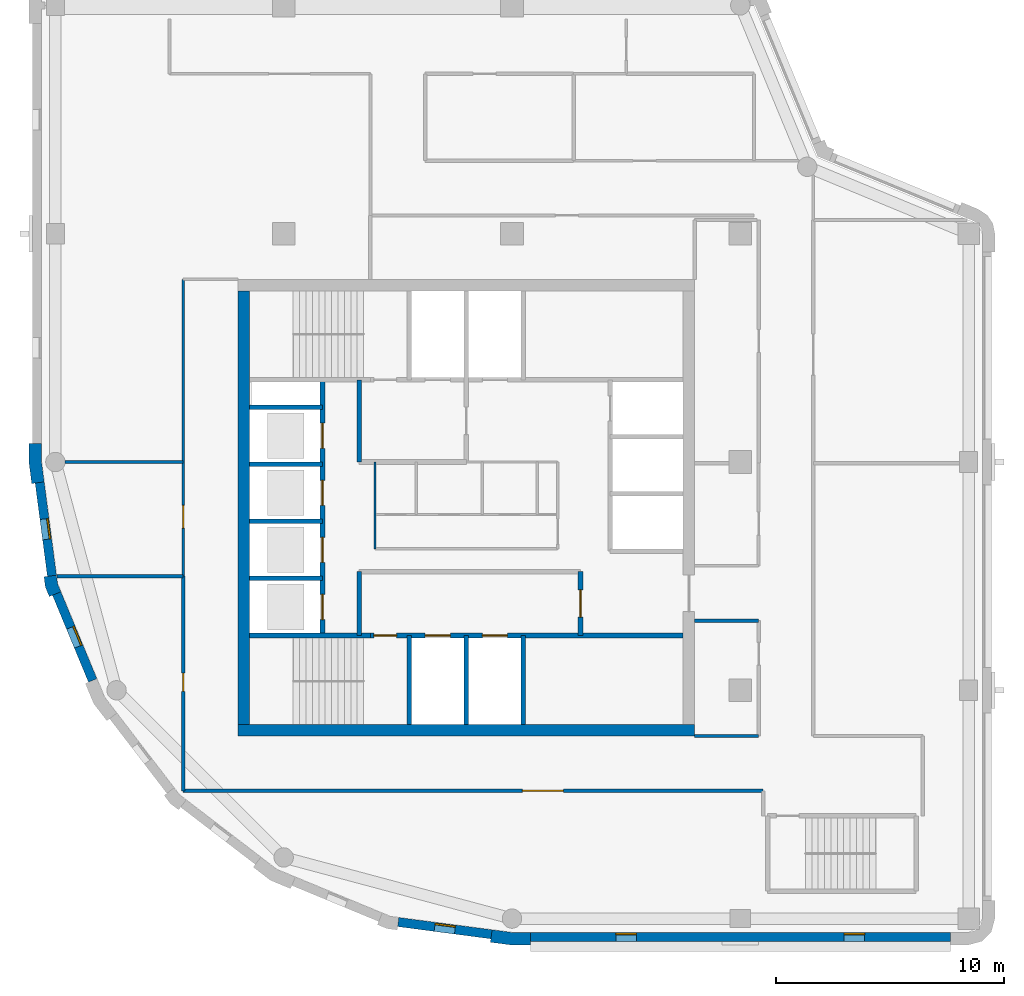
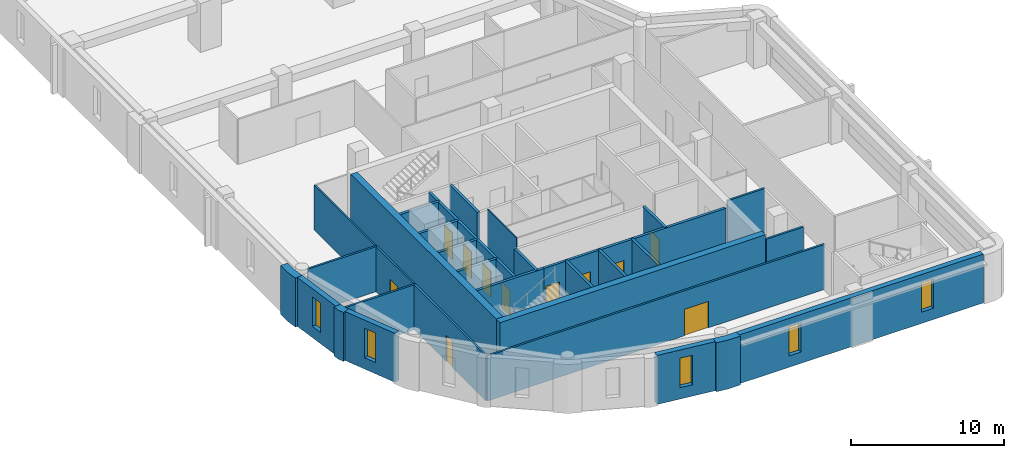
# One storey, part 2 of 8: 30 walls, 11 doors, 5 windows, 16 openings.
"""IFC4 building model written with IfcOpenShell, lengths in metres."""

from ifc_helpers import new_model, si_unit, direction, frame, frame_2d, origin, place, context, subcontext, project, spatial, polyline, rectangle, outline, extrude, material, layer, layer_set, type_object, element, fill, save


model = new_model("IFC4")

# Units and contexts
model_context = context("Model", 3, precision=1e-05, world=origin(), true_north=direction((0.0, 1.0)))
body_context = subcontext(model_context, "Body", "Model", "MODEL_VIEW")
ifc_project = project(units=[si_unit("LENGTHUNIT", "METRE"), si_unit("AREAUNIT", "SQUARE_METRE"), si_unit("VOLUMEUNIT", "CUBIC_METRE"), si_unit("PLANEANGLEUNIT", "RADIAN"), si_unit("MASSUNIT", "GRAM", prefix="KILO")], contexts=[model_context])

# Site, building, storey
site_placement = place(None, origin())
site = spatial("IfcSite", under=ifc_project, at=site_placement, CompositionType="ELEMENT")
building_placement = place(site_placement, origin())
building = spatial("IfcBuilding", under=site, at=building_placement, Name="Qaws Garden Tower", CompositionType="ELEMENT")
storey_placement = place(building_placement, frame((0.0, 0.0, 313.800048828125)))
storey = spatial("IfcBuildingStorey", under=building, at=storey_placement, Name="L76", CompositionType="ELEMENT", Elevation=313.800048828125)

# Wall, openings, windows
ifc_material_1 = material(Name="Clay facing brick masonry", Category="masonry")
ifc_layer_1 = layer(ifc_material_1, 0.39990234375)
ifc_layer_set_1 = layer_set([ifc_layer_1], Name="Clay facing brick masonry")
wall_type_1 = type_object("IfcWallType", Name="Brick infill wall 400", PredefinedType="SOLIDWALL", material=ifc_layer_set_1)
wall_1_placement = place(storey_placement, frame((20.800048828125, -0.800048828125, 0.0), z_axis=(0.0, 0.0, 1.0), x_axis=(1.0, 0.0, 0.0)))
wall_1 = element("IfcWall", 1, at=wall_1_placement, inside=storey, type_object=wall_type_1, Name="E-L76-infill-00", PredefinedType="SOLIDWALL", context=body_context, shape_type="SweptSolid", body=[
    extrude(rectangle(XDim=18.39990234375, YDim=0.39990234375, at=frame_2d((9.199951171875, 0.0))), origin(), (0.0, 0.0, 1.0), 3.89990234375),
])
opening_1_placement = place(wall_1_placement, frame((3.75, 0.0, 0.89990234375)))
opening_1 = element("IfcOpeningElement", 2, at=opening_1_placement, cuts=wall_1, Name="Opening W09", PredefinedType="OPENING", context=body_context, shape_type="SweptSolid", body=[
    extrude(rectangle(XDim=0.89990234375, YDim=2.35009765625, at=frame_2d((0.449951171875, 1.175048828125))), frame((0.0, 0.2099609375, 0.0), z_axis=(0.0, -1.0, 0.0), x_axis=(1.0, 0.0, 0.0)), (0.0, 0.0, 1.0), 0.419921875),
])
opening_2_placement = place(wall_1_placement, frame((13.75, 0.0, 0.89990234375)))
opening_2 = element("IfcOpeningElement", 3, at=opening_2_placement, cuts=wall_1, Name="Opening W09", PredefinedType="OPENING", context=body_context, shape_type="SweptSolid", body=[
    extrude(rectangle(XDim=0.89990234375, YDim=2.35009765625, at=frame_2d((0.449951171875, 1.175048828125))), frame((0.0, 0.2099609375, 0.0), z_axis=(0.0, -1.0, 0.0), x_axis=(1.0, 0.0, 0.0)), (0.0, 0.0, 1.0), 0.419921875),
])
ifc_material_2 = material(Name="Aluminium framed window, clear glazing", Category="aluminium")
window_type = type_object("IfcWindowType", Name="Slit window 900 x 2350", PartitioningType="SINGLE_PANEL", PredefinedType="WINDOW", material=ifc_material_2)
window_1_placement = place(opening_1_placement, origin())
window_1 = element("IfcWindow", 4, at=window_1_placement, inside=storey, type_object=window_type, Name="E-L76-window-00-0", OverallHeight=2.35009765625, OverallWidth=0.89990234375, PartitioningType="SINGLE_PANEL", PredefinedType="WINDOW", context=body_context, shape_type="SweptSolid", body=[
    extrude(rectangle(XDim=0.89990234375, YDim=2.35009765625, at=frame_2d((0.449951171875, 1.175048828125))), frame((0.0, 0.159912109375, 0.0), z_axis=(0.0, -1.0, 0.0), x_axis=(1.0, 0.0, 0.0)), (0.0, 0.0, 1.0), 0.06005859375),
])
fill(opening_1, window_1)
window_2_placement = place(opening_2_placement, origin())
window_2 = element("IfcWindow", 5, at=window_2_placement, inside=storey, type_object=window_type, Name="E-L76-window-01-0", OverallHeight=2.35009765625, OverallWidth=0.89990234375, PartitioningType="SINGLE_PANEL", PredefinedType="WINDOW", context=body_context, shape_type="SweptSolid", body=[
    extrude(rectangle(XDim=0.89990234375, YDim=2.35009765625, at=frame_2d((0.449951171875, 1.175048828125))), frame((0.0, 0.159912109375, 0.0), z_axis=(0.0, -1.0, 0.0), x_axis=(1.0, 0.0, 0.0)), (0.0, 0.0, 1.0), 0.06005859375),
])
fill(opening_2, window_2)

# Wall, opening, window
wall_2_placement = place(storey_placement, frame((-0.688720703125, 19.102294921875, 0.0), z_axis=(0.0, 0.0, 1.0), x_axis=(0.130514280502, -0.991446429508, 0.0)))
wall_2 = element("IfcWall", 6, at=wall_2_placement, inside=storey, type_object=wall_type_1, Name="E-L76-infill-21", PredefinedType="SOLIDWALL", context=body_context, shape_type="SweptSolid", body=[
    extrude(rectangle(XDim=4.120849609375, YDim=0.39990234375, at=frame_2d((2.060546875, 0.0))), origin(), (0.0, 0.0, 1.0), 3.89990234375),
])
opening_3_placement = place(wall_2_placement, frame((1.610595703125, 0.0, 0.89990234375)))
opening_3 = element("IfcOpeningElement", 7, at=opening_3_placement, cuts=wall_2, Name="Opening W09", PredefinedType="OPENING", context=body_context, shape_type="SweptSolid", body=[
    extrude(rectangle(XDim=0.89990234375, YDim=2.35009765625, at=frame_2d((0.449951171875, 1.175048828125))), frame((0.0, 0.2099609375, 0.0), z_axis=(0.0, -1.0, 0.0), x_axis=(1.0, 0.0, 0.0)), (0.0, 0.0, 1.0), 0.419921875),
])
window_3_placement = place(opening_3_placement, origin())
window_3 = element("IfcWindow", 8, at=window_3_placement, inside=storey, type_object=window_type, Name="E-L76-window-21-0", OverallHeight=2.35009765625, OverallWidth=0.89990234375, PartitioningType="SINGLE_PANEL", PredefinedType="WINDOW", context=body_context, shape_type="SweptSolid", body=[
    extrude(rectangle(XDim=0.89990234375, YDim=2.35009765625, at=frame_2d((0.449951171875, 1.175048828125))), frame((0.0, 0.159912109375, 0.0), z_axis=(0.0, -1.0, 0.0), x_axis=(1.0, 0.0, 0.0)), (0.0, 0.0, 1.0), 0.06005859375),
])
fill(opening_3, window_3)

wall_3_placement = place(storey_placement, frame((0.05712890625, 14.240234375, 0.0), z_axis=(0.0, 0.0, 1.0), x_axis=(0.382721546029, -0.923863744394, 0.0)))
wall_3 = element("IfcWall", 9, at=wall_3_placement, inside=storey, type_object=wall_type_1, Name="E-L76-infill-22", PredefinedType="SOLIDWALL", context=body_context, shape_type="SweptSolid", body=[
    extrude(rectangle(XDim=4.120849609375, YDim=0.39990234375, at=frame_2d((2.060546875, 0.0))), origin(), (0.0, 0.0, 1.0), 3.89990234375),
])
opening_4_placement = place(wall_3_placement, frame((1.610595703125, 0.0, 0.89990234375)))
opening_4 = element("IfcOpeningElement", 10, at=opening_4_placement, cuts=wall_3, Name="Opening W09", PredefinedType="OPENING", context=body_context, shape_type="SweptSolid", body=[
    extrude(rectangle(XDim=0.89990234375, YDim=2.35009765625, at=frame_2d((0.449951171875, 1.175048828125))), frame((0.0, 0.2099609375, 0.0), z_axis=(0.0, -1.0, 0.0), x_axis=(1.0, 0.0, 0.0)), (0.0, 0.0, 1.0), 0.419921875),
])
window_4_placement = place(opening_4_placement, origin())
window_4 = element("IfcWindow", 11, at=window_4_placement, inside=storey, type_object=window_type, Name="E-L76-window-22-0", OverallHeight=2.35009765625, OverallWidth=0.89990234375, PartitioningType="SINGLE_PANEL", PredefinedType="WINDOW", context=body_context, shape_type="SweptSolid", body=[
    extrude(rectangle(XDim=0.89990234375, YDim=2.35009765625, at=frame_2d((0.449951171875, 1.175048828125))), frame((0.0, 0.159912109375, 0.0), z_axis=(0.0, -1.0, 0.0), x_axis=(1.0, 0.0, 0.0)), (0.0, 0.0, 1.0), 0.06005859375),
])
fill(opening_4, window_4)

wall_4_placement = place(storey_placement, frame((15.0166015625, -0.15087890625, 0.0), z_axis=(0.0, 0.0, 1.0), x_axis=(0.991446429508, -0.130514280502, 0.0)))
wall_4 = element("IfcWall", 12, at=wall_4_placement, inside=storey, type_object=wall_type_1, Name="E-L76-infill-26", PredefinedType="SOLIDWALL", context=body_context, shape_type="SweptSolid", body=[
    extrude(rectangle(XDim=4.120849609375, YDim=0.39990234375, at=frame_2d((2.060546875, 0.0))), origin(), (0.0, 0.0, 1.0), 3.89990234375),
])
opening_5_placement = place(wall_4_placement, frame((1.610595703125, 0.0, 0.89990234375)))
opening_5 = element("IfcOpeningElement", 13, at=opening_5_placement, cuts=wall_4, Name="Opening W09", PredefinedType="OPENING", context=body_context, shape_type="SweptSolid", body=[
    extrude(rectangle(XDim=0.89990234375, YDim=2.35009765625, at=frame_2d((0.449951171875, 1.175048828125))), frame((0.0, 0.2099609375, 0.0), z_axis=(0.0, -1.0, 0.0), x_axis=(1.0, 0.0, 0.0)), (0.0, 0.0, 1.0), 0.419921875),
])
window_5_placement = place(opening_5_placement, origin())
window_5 = element("IfcWindow", 14, at=window_5_placement, inside=storey, type_object=window_type, Name="E-L76-window-26-0", OverallHeight=2.35009765625, OverallWidth=0.89990234375, PartitioningType="SINGLE_PANEL", PredefinedType="WINDOW", context=body_context, shape_type="SweptSolid", body=[
    extrude(rectangle(XDim=0.89990234375, YDim=2.35009765625, at=frame_2d((0.449951171875, 1.175048828125))), frame((0.0, 0.159912109375, 0.0), z_axis=(0.0, -1.0, 0.0), x_axis=(1.0, 0.0, 0.0)), (0.0, 0.0, 1.0), 0.06005859375),
])
fill(opening_5, window_5)

# Walls
ifc_material_3 = material(Name="Clay facing brick masonry", Category="masonry")
ifc_layer_2 = layer(ifc_material_3, 0.550048828125)
ifc_layer_set_2 = layer_set([ifc_layer_2], Name="Clay facing brick masonry")
wall_type_2 = type_object("IfcWallType", Name="Brick kink pier 550 x 600", PredefinedType="SOLIDWALL", material=ifc_layer_set_2)
placement = place(storey_placement, origin())
element("IfcWall", 15, at=placement, inside=storey, type_object=wall_type_2, Name="E-L76-pier-22", PredefinedType="SOLIDWALL", context=body_context, shape_type="SweptSolid", body=[
    extrude(outline(polyline([(-0.34912109375, 14.990478515625), (-0.497802734375, 14.970947265625), (-0.43896484375, 14.5234375), (-0.26611328125, 14.1064453125), (-0.127685546875, 14.163818359375), (0.241943359375, 14.31689453125), (0.096923828125, 14.6669921875), (0.04736328125, 15.042724609375), (-0.34912109375, 14.990478515625)])), origin(), (0.0, 0.0, 1.0), 3.89990234375),
])
ifc_material_4 = material(Name="Clay facing brick masonry", Category="masonry")
ifc_layer_3 = layer(ifc_material_4, 0.550048828125)
ifc_layer_set_3 = layer_set([ifc_layer_3], Name="Clay facing brick masonry")
wall_type_3 = type_object("IfcWallType", Name="Brick pier 550 x 1600", PredefinedType="SOLIDWALL", material=ifc_layer_set_3)
element("IfcWall", 16, at=placement, inside=storey, type_object=wall_type_3, Name="E-L76-pier-00", PredefinedType="SOLIDWALL", context=body_context, shape_type="SweptSolid", body=[
    extrude(outline(polyline([(19.076416015625, -0.886962890625), (19.056640625, -1.03564453125), (19.924560546875, -1.14990234375), (20.800048828125, -1.14990234375), (20.800048828125, -1.0), (20.800048828125, -0.60009765625), (19.960693359375, -0.60009765625), (19.12841796875, -0.490478515625), (19.076416015625, -0.886962890625)])), origin(), (0.0, 0.0, 1.0), 3.89990234375),
])
element("IfcWall", 17, at=placement, inside=storey, type_object=wall_type_3, Name="E-L76-pier-21", PredefinedType="SOLIDWALL", context=body_context, shape_type="SweptSolid", body=[
    extrude(outline(polyline([(-1.0, 20.800048828125), (-1.14990234375, 20.800048828125), (-1.14990234375, 19.924560546875), (-1.03564453125, 19.056640625), (-0.886962890625, 19.076416015625), (-0.490478515625, 19.12841796875), (-0.60009765625, 19.960693359375), (-0.60009765625, 20.800048828125), (-1.0, 20.800048828125)])), origin(), (0.0, 0.0, 1.0), 3.89990234375),
])
ifc_material_5 = material(Name="Plasterboard")
ifc_layer_4 = layer(ifc_material_5, 0.10009765625)
ifc_layer_set_4 = layer_set([ifc_layer_4], Name="Plasterboard")
wall_type_4 = type_object("IfcWallType", Name="Core partition 100", PredefinedType="PARTITIONING", material=ifc_layer_set_4)
wall_8_placement = place(storey_placement, frame((14.0, 16.199951171875, 0.0), z_axis=(0.0, 0.0, 1.0), x_axis=(0.0, 1.0, 0.0)))
element("IfcWall", 18, at=wall_8_placement, inside=storey, type_object=wall_type_4, Name="Core partition", PredefinedType="PARTITIONING", context=body_context, shape_type="SweptSolid", body=[
    extrude(rectangle(XDim=3.800048828125, YDim=0.10009765625, at=frame_2d((1.89990234375, 0.0))), origin(), (0.0, 0.0, 1.0), 3.579833984375),
])
ifc_material_6 = material(Name="Concrete C60", Category="concrete")
ifc_layer_5 = layer(ifc_material_6, 0.199951171875)
ifc_layer_set_5 = layer_set([ifc_layer_5], Name="Concrete C60")
wall_type_5 = type_object("IfcWallType", Name="Core shaft wall 200 C60", PredefinedType="SHEAR", material=ifc_layer_set_5)
wall_9_placement = place(storey_placement, frame((8.5, 12.39990234375, 0.0), z_axis=(0.0, 0.0, 1.0), x_axis=(1.0, 0.0, 0.0)))
element("IfcWall", 19, at=wall_9_placement, inside=storey, type_object=wall_type_5, Name="Shaft wall", PredefinedType="SHEAR", context=body_context, shape_type="SweptSolid", body=[
    extrude(rectangle(XDim=5.300048828125, YDim=0.199951171875, at=frame_2d((2.64990234375, 0.0))), origin(), (0.0, 0.0, 1.0), 3.579833984375),
])

# Wall, openings, doors
wall_10_placement = place(storey_placement, frame((13.800048828125, 12.39990234375, 0.0), z_axis=(0.0, 0.0, 1.0), x_axis=(1.0, 0.0, 0.0)))
wall_10 = element("IfcWall", 20, at=wall_10_placement, inside=storey, type_object=wall_type_5, Name="Shaft wall", PredefinedType="SHEAR", context=body_context, shape_type="SweptSolid", body=[
    extrude(rectangle(XDim=13.699951171875, YDim=0.199951171875, at=frame_2d((6.85009765625, 0.0))), origin(), (0.0, 0.0, 1.0), 3.579833984375),
])
opening_6_placement = place(wall_10_placement, frame((2.39990234375, 0.0, 0.0)))
opening_6 = element("IfcOpeningElement", 21, at=opening_6_placement, cuts=wall_10, Name="Opening LD06", PredefinedType="OPENING", context=body_context, shape_type="SweptSolid", body=[
    extrude(rectangle(XDim=1.10009765625, YDim=2.10009765625, at=frame_2d((0.550048828125, 1.050048828125))), frame((0.0, 0.10986328125, 0.0), z_axis=(0.0, -1.0, 0.0), x_axis=(1.0, 0.0, 0.0)), (0.0, 0.0, 1.0), 0.219970703125),
])
opening_7_placement = place(wall_10_placement, frame((4.89990234375, 0.0, 0.0)))
opening_7 = element("IfcOpeningElement", 22, at=opening_7_placement, cuts=wall_10, Name="Opening LD07", PredefinedType="OPENING", context=body_context, shape_type="SweptSolid", body=[
    extrude(rectangle(XDim=1.10009765625, YDim=2.10009765625, at=frame_2d((0.550048828125, 1.050048828125))), frame((0.0, 0.10986328125, 0.0), z_axis=(0.0, -1.0, 0.0), x_axis=(1.0, 0.0, 0.0)), (0.0, 0.0, 1.0), 0.219970703125),
])
opening_8_placement = place(wall_10_placement, frame((0.14990234375, 0.0, 0.0)))
opening_8 = element("IfcOpeningElement", 23, at=opening_8_placement, cuts=wall_10, Name="Opening SD10", PredefinedType="OPENING", context=body_context, shape_type="SweptSolid", body=[
    extrude(rectangle(XDim=1.0, YDim=2.10009765625, at=frame_2d((0.5, 1.050048828125))), frame((0.0, 0.10986328125, 0.0), z_axis=(0.0, -1.0, 0.0), x_axis=(1.0, 0.0, 0.0)), (0.0, 0.0, 1.0), 0.219970703125),
])
ifc_material_7 = material(Name="Steel S235", Category="steel")
door_type_1 = type_object("IfcDoorType", Name="Landing door 1100x2100", OperationType="DOUBLE_DOOR_SLIDING", PredefinedType="DOOR", material=ifc_material_7)
door_1_placement = place(opening_6_placement, origin())
door_1 = element("IfcDoor", 24, at=door_1_placement, inside=storey, type_object=door_type_1, Name="Lift FF1 landing door", OperationType="DOUBLE_DOOR_SLIDING", OverallHeight=2.10009765625, OverallWidth=1.10009765625, PredefinedType="DOOR", context=body_context, shape_type="SweptSolid", body=[
    extrude(rectangle(XDim=1.10009765625, YDim=2.10009765625, at=frame_2d((0.550048828125, 1.050048828125))), frame((0.0, 0.02490234375, 0.0), z_axis=(0.0, -1.0, 0.0), x_axis=(1.0, 0.0, 0.0)), (0.0, 0.0, 1.0), 0.050048828125),
])
fill(opening_6, door_1)
door_2_placement = place(opening_7_placement, origin())
door_2 = element("IfcDoor", 25, at=door_2_placement, inside=storey, type_object=door_type_1, Name="Lift FF2 landing door", OperationType="DOUBLE_DOOR_SLIDING", OverallHeight=2.10009765625, OverallWidth=1.10009765625, PredefinedType="DOOR", context=body_context, shape_type="SweptSolid", body=[
    extrude(rectangle(XDim=1.10009765625, YDim=2.10009765625, at=frame_2d((0.550048828125, 1.050048828125))), frame((0.0, 0.02490234375, 0.0), z_axis=(0.0, -1.0, 0.0), x_axis=(1.0, 0.0, 0.0)), (0.0, 0.0, 1.0), 0.050048828125),
])
fill(opening_7, door_2)
ifc_material_8 = material(Name="Steel S235", Category="steel")
door_type_2 = type_object("IfcDoorType", Name="Stair door 1000x2100", OperationType="SINGLE_SWING_RIGHT", PredefinedType="DOOR", material=ifc_material_8)
door_3_placement = place(opening_8_placement, frame((1.0, 0.0, 0.0), z_axis=(0.0, 0.0, 1.0), x_axis=(-1.0, 0.0, 0.0)))
door_3 = element("IfcDoor", 26, at=door_3_placement, inside=storey, type_object=door_type_2, Name="Stair 1 door", OperationType="SINGLE_SWING_LEFT", OverallHeight=2.10009765625, OverallWidth=1.0, PredefinedType="DOOR", context=body_context, shape_type="SweptSolid", body=[
    extrude(rectangle(XDim=1.0, YDim=2.10009765625, at=frame_2d((0.5, 1.050048828125))), frame((0.0, 0.02490234375, 0.0), z_axis=(0.0, -1.0, 0.0), x_axis=(1.0, 0.0, 0.0)), (0.0, 0.0, 1.0), 0.050048828125),
])
fill(opening_8, door_3)

# Walls
for number, where, z_axis, x_axis, name in (
    (27, (8.5, 14.89990234375, 0.0), (0.0, 0.0, 1.0), (1.0, 0.0, 0.0), "Shaft wall"),
    (28, (8.5, 17.39990234375, 0.0), (0.0, 0.0, 1.0), (1.0, 0.0, 0.0), "Shaft wall"),
    (29, (8.5, 19.89990234375, 0.0), (0.0, 0.0, 1.0), (1.0, 0.0, 0.0), "Shaft wall"),
    (30, (8.5, 22.39990234375, 0.0), (0.0, 0.0, 1.0), (1.0, 0.0, 0.0), "Shaft wall"),
):
    element("IfcWall", number, at=place(storey_placement, frame(where, z_axis=z_axis, x_axis=x_axis)), inside=storey, type_object=wall_type_5, Name=name, PredefinedType="SHEAR", context=body_context, shape_type="SweptSolid", body=[
        extrude(rectangle(XDim=3.199951171875, YDim=0.199951171875, at=frame_2d((1.60009765625, 0.0))), origin(), (0.0, 0.0, 1.0), 3.579833984375),
    ])

# Wall, openings, doors
wall_11_placement = place(storey_placement, frame((11.699951171875, 12.39990234375, 0.0), z_axis=(0.0, 0.0, 1.0), x_axis=(0.0, 1.0, 0.0)))
wall_11 = element("IfcWall", 31, at=wall_11_placement, inside=storey, type_object=wall_type_5, Name="Shaft wall", PredefinedType="SHEAR", context=body_context, shape_type="SweptSolid", body=[
    extrude(rectangle(XDim=11.2001953125, YDim=0.199951171875, at=frame_2d((5.60009765625, 0.0))), origin(), (0.0, 0.0, 1.0), 3.579833984375),
])
opening_9_placement = place(wall_11_placement, frame((0.699951171875, 0.0, 0.0)))
opening_9 = element("IfcOpeningElement", 32, at=opening_9_placement, cuts=wall_11, Name="Opening LD01", PredefinedType="OPENING", context=body_context, shape_type="SweptSolid", body=[
    extrude(rectangle(XDim=1.10009765625, YDim=2.10009765625, at=frame_2d((0.550048828125, 1.050048828125))), frame((0.0, 0.10986328125, 0.0), z_axis=(0.0, -1.0, 0.0), x_axis=(1.0, 0.0, 0.0)), (0.0, 0.0, 1.0), 0.219970703125),
])
opening_10_placement = place(wall_11_placement, frame((3.199951171875, 0.0, 0.0)))
opening_10 = element("IfcOpeningElement", 33, at=opening_10_placement, cuts=wall_11, Name="Opening LD02", PredefinedType="OPENING", context=body_context, shape_type="SweptSolid", body=[
    extrude(rectangle(XDim=1.10009765625, YDim=2.10009765625, at=frame_2d((0.550048828125, 1.050048828125))), frame((0.0, 0.10986328125, 0.0), z_axis=(0.0, -1.0, 0.0), x_axis=(1.0, 0.0, 0.0)), (0.0, 0.0, 1.0), 0.219970703125),
])
opening_11_placement = place(wall_11_placement, frame((5.699951171875, 0.0, 0.0)))
opening_11 = element("IfcOpeningElement", 34, at=opening_11_placement, cuts=wall_11, Name="Opening LD03", PredefinedType="OPENING", context=body_context, shape_type="SweptSolid", body=[
    extrude(rectangle(XDim=1.10009765625, YDim=2.10009765625, at=frame_2d((0.550048828125, 1.050048828125))), frame((0.0, 0.10986328125, 0.0), z_axis=(0.0, -1.0, 0.0), x_axis=(1.0, 0.0, 0.0)), (0.0, 0.0, 1.0), 0.219970703125),
])
opening_12_placement = place(wall_11_placement, frame((8.199951171875, 0.0, 0.0)))
opening_12 = element("IfcOpeningElement", 35, at=opening_12_placement, cuts=wall_11, Name="Opening LD04", PredefinedType="OPENING", context=body_context, shape_type="SweptSolid", body=[
    extrude(rectangle(XDim=1.10009765625, YDim=2.10009765625, at=frame_2d((0.550048828125, 1.050048828125))), frame((0.0, 0.10986328125, 0.0), z_axis=(0.0, -1.0, 0.0), x_axis=(1.0, 0.0, 0.0)), (0.0, 0.0, 1.0), 0.219970703125),
])
door_4_placement = place(opening_9_placement, origin())
door_4 = element("IfcDoor", 36, at=door_4_placement, inside=storey, type_object=door_type_1, Name="Lift W1 landing door", OperationType="DOUBLE_DOOR_SLIDING", OverallHeight=2.10009765625, OverallWidth=1.10009765625, PredefinedType="DOOR", context=body_context, shape_type="SweptSolid", body=[
    extrude(rectangle(XDim=1.10009765625, YDim=2.10009765625, at=frame_2d((0.550048828125, 1.050048828125))), frame((0.0, 0.02490234375, 0.0), z_axis=(0.0, -1.0, 0.0), x_axis=(1.0, 0.0, 0.0)), (0.0, 0.0, 1.0), 0.050048828125),
])
fill(opening_9, door_4)
door_5_placement = place(opening_10_placement, origin())
door_5 = element("IfcDoor", 37, at=door_5_placement, inside=storey, type_object=door_type_1, Name="Lift W2 landing door", OperationType="DOUBLE_DOOR_SLIDING", OverallHeight=2.10009765625, OverallWidth=1.10009765625, PredefinedType="DOOR", context=body_context, shape_type="SweptSolid", body=[
    extrude(rectangle(XDim=1.10009765625, YDim=2.10009765625, at=frame_2d((0.550048828125, 1.050048828125))), frame((0.0, 0.02490234375, 0.0), z_axis=(0.0, -1.0, 0.0), x_axis=(1.0, 0.0, 0.0)), (0.0, 0.0, 1.0), 0.050048828125),
])
fill(opening_10, door_5)
door_6_placement = place(opening_11_placement, origin())
door_6 = element("IfcDoor", 38, at=door_6_placement, inside=storey, type_object=door_type_1, Name="Lift W3 landing door", OperationType="DOUBLE_DOOR_SLIDING", OverallHeight=2.10009765625, OverallWidth=1.10009765625, PredefinedType="DOOR", context=body_context, shape_type="SweptSolid", body=[
    extrude(rectangle(XDim=1.10009765625, YDim=2.10009765625, at=frame_2d((0.550048828125, 1.050048828125))), frame((0.0, 0.02490234375, 0.0), z_axis=(0.0, -1.0, 0.0), x_axis=(1.0, 0.0, 0.0)), (0.0, 0.0, 1.0), 0.050048828125),
])
fill(opening_11, door_6)
door_7_placement = place(opening_12_placement, origin())
door_7 = element("IfcDoor", 39, at=door_7_placement, inside=storey, type_object=door_type_1, Name="Lift W4 landing door", OperationType="DOUBLE_DOOR_SLIDING", OverallHeight=2.10009765625, OverallWidth=1.10009765625, PredefinedType="DOOR", context=body_context, shape_type="SweptSolid", body=[
    extrude(rectangle(XDim=1.10009765625, YDim=2.10009765625, at=frame_2d((0.550048828125, 1.050048828125))), frame((0.0, 0.02490234375, 0.0), z_axis=(0.0, -1.0, 0.0), x_axis=(1.0, 0.0, 0.0)), (0.0, 0.0, 1.0), 0.050048828125),
])
fill(opening_12, door_7)

# Walls
wall_12_placement = place(storey_placement, frame((13.300048828125, 12.39990234375, 0.0), z_axis=(0.0, 0.0, 1.0), x_axis=(0.0, 1.0, 0.0)))
element("IfcWall", 40, at=wall_12_placement, inside=storey, type_object=wall_type_5, Name="Shaft wall", PredefinedType="SHEAR", context=body_context, shape_type="SweptSolid", body=[
    extrude(rectangle(XDim=2.800048828125, YDim=0.199951171875, at=frame_2d((1.39990234375, 0.0))), origin(), (0.0, 0.0, 1.0), 3.579833984375),
])
wall_13_placement = place(storey_placement, frame((13.300048828125, 20.0, 0.0), z_axis=(0.0, 0.0, 1.0), x_axis=(0.0, 1.0, 0.0)))
element("IfcWall", 41, at=wall_13_placement, inside=storey, type_object=wall_type_5, Name="Shaft wall", PredefinedType="SHEAR", context=body_context, shape_type="SweptSolid", body=[
    extrude(rectangle(XDim=3.60009765625, YDim=0.199951171875, at=frame_2d((1.800048828125, 0.0))), origin(), (0.0, 0.0, 1.0), 3.579833984375),
])
for number, where, z_axis, x_axis, name in (
    (42, (15.5, 8.5, 0.0), (0.0, 0.0, 1.0), (0.0, 1.0, 0.0), "Shaft wall"),
    (43, (18.0, 8.5, 0.0), (0.0, 0.0, 1.0), (0.0, 1.0, 0.0), "Shaft wall"),
    (44, (20.5, 8.5, 0.0), (0.0, 0.0, 1.0), (0.0, 1.0, 0.0), "Shaft wall"),
):
    element("IfcWall", number, at=place(storey_placement, frame(where, z_axis=z_axis, x_axis=x_axis)), inside=storey, type_object=wall_type_5, Name=name, PredefinedType="SHEAR", context=body_context, shape_type="SweptSolid", body=[
        extrude(rectangle(XDim=3.89990234375, YDim=0.199951171875, at=frame_2d((1.949951171875, 0.0))), origin(), (0.0, 0.0, 1.0), 3.579833984375),
    ])

# Wall, opening, door
wall_14_placement = place(storey_placement, frame((23.0, 12.39990234375, 0.0), z_axis=(0.0, 0.0, 1.0), x_axis=(0.0, 1.0, 0.0)))
wall_14 = element("IfcWall", 45, at=wall_14_placement, inside=storey, type_object=wall_type_5, Name="Shaft wall", PredefinedType="SHEAR", context=body_context, shape_type="SweptSolid", body=[
    extrude(rectangle(XDim=2.800048828125, YDim=0.199951171875, at=frame_2d((1.39990234375, 0.0))), origin(), (0.0, 0.0, 1.0), 3.579833984375),
])
opening_13_placement = place(wall_14_placement, frame((0.800048828125, 0.0, 0.0)))
opening_13 = element("IfcOpeningElement", 46, at=opening_13_placement, cuts=wall_14, Name="Opening FD15", PredefinedType="OPENING", context=body_context, shape_type="SweptSolid", body=[
    extrude(rectangle(XDim=1.199951171875, YDim=2.10009765625, at=frame_2d((0.60009765625, 1.050048828125))), frame((0.0, 0.10986328125, 0.0), z_axis=(0.0, -1.0, 0.0), x_axis=(1.0, 0.0, 0.0)), (0.0, 0.0, 1.0), 0.219970703125),
])
ifc_material_9 = material(Name="Steel S235", Category="steel")
door_type_3 = type_object("IfcDoorType", Name="Lobby door 1200x2100", OperationType="DOUBLE_DOOR_SINGLE_SWING", PredefinedType="DOOR", material=ifc_material_9)
door_8_placement = place(opening_13_placement, origin())
door_8 = element("IfcDoor", 47, at=door_8_placement, inside=storey, type_object=door_type_3, Name="Fire-fighting lobby door", OperationType="DOUBLE_DOOR_SINGLE_SWING", OverallHeight=2.10009765625, OverallWidth=1.199951171875, PredefinedType="DOOR", context=body_context, shape_type="SweptSolid", body=[
    extrude(rectangle(XDim=1.199951171875, YDim=2.10009765625, at=frame_2d((0.60009765625, 1.050048828125))), frame((0.0, 0.02490234375, 0.0), z_axis=(0.0, -1.0, 0.0), x_axis=(1.0, 0.0, 0.0)), (0.0, 0.0, 1.0), 0.050048828125),
])
fill(opening_13, door_8)

# Walls
ifc_material_10 = material(Name="Concrete C60", Category="concrete")
ifc_layer_6 = layer(ifc_material_10, 0.5)
ifc_layer_set_6 = layer_set([ifc_layer_6], Name="Concrete C60")
wall_type_6 = type_object("IfcWallType", Name="Core wall 500 C60", PredefinedType="SHEAR", material=ifc_layer_set_6)
wall_15_placement = place(storey_placement, frame((8.0, 8.25, 0.0), z_axis=(0.0, 0.0, 1.0), x_axis=(1.0, 0.0, 0.0)))
element("IfcWall", 48, at=wall_15_placement, inside=storey, type_object=wall_type_6, Name="Core wall L76 south", PredefinedType="SHEAR", context=body_context, shape_type="SweptSolid", body=[
    extrude(rectangle(XDim=20.0, YDim=0.5, at=frame_2d((10.0, 0.0))), origin(), (0.0, 0.0, 1.0), 3.89990234375),
])
wall_16_placement = place(storey_placement, frame((8.25, 27.5, 0.0), z_axis=(0.0, 0.0, 1.0), x_axis=(0.0, -1.0, 0.0)))
element("IfcWall", 49, at=wall_16_placement, inside=storey, type_object=wall_type_6, Name="Core wall L76 west", PredefinedType="SHEAR", context=body_context, shape_type="SweptSolid", body=[
    extrude(rectangle(XDim=19.0, YDim=0.5, at=frame_2d((9.5, 0.0))), origin(), (0.0, 0.0, 1.0), 3.89990234375),
])

# Wall, opening, door
ifc_material_11 = material(Name="Glass and aluminium framing", Category="aluminium")
ifc_layer_7 = layer(ifc_material_11, 0.1201171875)
ifc_layer_set_7 = layer_set([ifc_layer_7], Name="Glass and aluminium framing")
wall_type_7 = type_object("IfcWallType", Name="GLAZED PARTITION 120 EI 30", PredefinedType="PARTITIONING", material=ifc_layer_set_7)
wall_17_placement = place(storey_placement, frame((5.60009765625, 15.0, 0.0), z_axis=(0.0, 0.0, 1.0), x_axis=(0.0, 1.0, 0.0)))
wall_17 = element("IfcWall", 50, at=wall_17_placement, inside=storey, type_object=wall_type_7, Name="O-L76-wall-028", PredefinedType="PARTITIONING", context=body_context, shape_type="SweptSolid", body=[
    extrude(rectangle(XDim=13.0, YDim=0.1201171875, at=frame_2d((6.5, 0.0))), origin(), (0.0, 0.0, 1.0), 3.579833984375),
])
opening_14_placement = place(wall_17_placement, frame((2.10009765625, 0.0, 0.0)))
opening_14 = element("IfcOpeningElement", 51, at=opening_14_placement, cuts=wall_17, Name="Opening C7P02", PredefinedType="OPENING", context=body_context, shape_type="SweptSolid", body=[
    extrude(rectangle(XDim=1.0, YDim=2.10009765625, at=frame_2d((0.5, 1.050048828125))), frame((0.0, 0.070068359375, 0.0), z_axis=(0.0, -1.0, 0.0), x_axis=(1.0, 0.0, 0.0)), (0.0, 0.0, 1.0), 0.14013671875),
])
ifc_material_12 = material(Name="Timber door leaf", Category="wood")
door_type_4 = type_object("IfcDoorType", Name="TENANCY ENTRANCE DOOR 1000 X 2100", OperationType="SINGLE_SWING_LEFT", PredefinedType="DOOR", material=ifc_material_12)
door_9_placement = place(opening_14_placement, origin())
door_9 = element("IfcDoor", 52, at=door_9_placement, inside=storey, type_object=door_type_4, Name="O-L76-door-002", OperationType="SINGLE_SWING_RIGHT", OverallHeight=2.10009765625, OverallWidth=1.0, PredefinedType="DOOR", context=body_context, shape_type="SweptSolid", body=[
    extrude(rectangle(XDim=1.0, YDim=2.10009765625, at=frame_2d((0.5, 1.050048828125))), frame((0.0, 0.02490234375, 0.0), z_axis=(0.0, -1.0, 0.0), x_axis=(1.0, 0.0, 0.0)), (0.0, 0.0, 1.0), 0.050048828125),
])
fill(opening_14, door_9)

ifc_material_13 = material(Name="Gypsum board partition")
ifc_layer_8 = layer(ifc_material_13, 0.14990234375)
ifc_layer_set_8 = layer_set([ifc_layer_8], Name="Gypsum board partition")
wall_type_8 = type_object("IfcWallType", Name="PARTITION 150 EI 60", PredefinedType="PARTITIONING", material=ifc_layer_set_8)
wall_18_placement = place(storey_placement, frame((5.60009765625, 5.60009765625, 0.0), z_axis=(0.0, 0.0, 1.0), x_axis=(0.0, 1.0, 0.0)))
wall_18 = element("IfcWall", 53, at=wall_18_placement, inside=storey, type_object=wall_type_8, Name="O-L76-wall-001", PredefinedType="PARTITIONING", context=body_context, shape_type="SweptSolid", body=[
    extrude(rectangle(XDim=9.39990234375, YDim=0.14990234375, at=frame_2d((4.699951171875, 0.0))), origin(), (0.0, 0.0, 1.0), 3.579833984375),
])
opening_15_placement = place(wall_18_placement, frame((4.35009765625, 0.0, 0.0)))
opening_15 = element("IfcOpeningElement", 54, at=opening_15_placement, cuts=wall_18, Name="Opening C7P01", PredefinedType="OPENING", context=body_context, shape_type="SweptSolid", body=[
    extrude(rectangle(XDim=0.800048828125, YDim=2.10009765625, at=frame_2d((0.39990234375, 1.050048828125))), frame((0.0, 0.0849609375, 0.0), z_axis=(0.0, -1.0, 0.0), x_axis=(1.0, 0.0, 0.0)), (0.0, 0.0, 1.0), 0.169921875),
])
ifc_material_14 = material(Name="Timber door leaf", Category="wood")
door_type_5 = type_object("IfcDoorType", Name="STORE DOOR 800 X 2100", OperationType="SINGLE_SWING_LEFT", PredefinedType="DOOR", material=ifc_material_14)
door_10_placement = place(opening_15_placement, origin())
door_10 = element("IfcDoor", 55, at=door_10_placement, inside=storey, type_object=door_type_5, Name="O-L76-door-001", OperationType="SINGLE_SWING_RIGHT", OverallHeight=2.10009765625, OverallWidth=0.800048828125, PredefinedType="DOOR", context=body_context, shape_type="SweptSolid", body=[
    extrude(rectangle(XDim=0.800048828125, YDim=2.10009765625, at=frame_2d((0.39990234375, 1.050048828125))), frame((0.0, 0.02490234375, 0.0), z_axis=(0.0, -1.0, 0.0), x_axis=(1.0, 0.0, 0.0)), (0.0, 0.0, 1.0), 0.050048828125),
])
fill(opening_15, door_10)

wall_19_placement = place(storey_placement, frame((5.60009765625, 5.60009765625, 0.0), z_axis=(0.0, 0.0, 1.0), x_axis=(1.0, 0.0, 0.0)))
wall_19 = element("IfcWall", 56, at=wall_19_placement, inside=storey, type_object=wall_type_8, Name="O-L76-wall-014", PredefinedType="PARTITIONING", context=body_context, shape_type="SweptSolid", body=[
    extrude(rectangle(XDim=25.39990234375, YDim=0.14990234375, at=frame_2d((12.699951171875, 0.0))), origin(), (0.0, 0.0, 1.0), 3.579833984375),
])
opening_16_placement = place(wall_19_placement, frame((14.85009765625, 0.0, 0.0)))
opening_16 = element("IfcOpeningElement", 57, at=opening_16_placement, cuts=wall_19, Name="Opening C7P06", PredefinedType="OPENING", context=body_context, shape_type="SweptSolid", body=[
    extrude(rectangle(XDim=1.800048828125, YDim=2.10009765625, at=frame_2d((0.89990234375, 1.050048828125))), frame((0.0, 0.0849609375, 0.0), z_axis=(0.0, -1.0, 0.0), x_axis=(1.0, 0.0, 0.0)), (0.0, 0.0, 1.0), 0.169921875),
])
ifc_material_15 = material(Name="Timber door leaf", Category="wood")
door_type_6 = type_object("IfcDoorType", Name="DOUBLE DOOR 1800 X 2100", OperationType="DOUBLE_DOOR_SINGLE_SWING", PredefinedType="DOOR", material=ifc_material_15)
door_11_placement = place(opening_16_placement, frame((1.800048828125, 0.0, 0.0), z_axis=(0.0, 0.0, 1.0), x_axis=(-1.0, 0.0, 0.0)))
door_11 = element("IfcDoor", 58, at=door_11_placement, inside=storey, type_object=door_type_6, Name="O-L76-door-006", OperationType="DOUBLE_DOOR_SINGLE_SWING", OverallHeight=2.10009765625, OverallWidth=1.800048828125, PredefinedType="DOOR", context=body_context, shape_type="SweptSolid", body=[
    extrude(rectangle(XDim=1.800048828125, YDim=2.10009765625, at=frame_2d((0.89990234375, 1.050048828125))), frame((0.0, 0.02490234375, 0.0), z_axis=(0.0, -1.0, 0.0), x_axis=(1.0, 0.0, 0.0)), (0.0, 0.0, 1.0), 0.050048828125),
])
fill(opening_16, door_11)

# Walls
for number, where, z_axis, x_axis, name in (
    (59, (28.0, 8.0, 0.0), (0.0, 0.0, 1.0), (1.0, 0.0, 0.0), "O-L76-wall-015"),
    (60, (28.0, 13.050048828125, 0.0), (0.0, 0.0, 1.0), (1.0, 0.0, 0.0), "O-L76-wall-017"),
):
    element("IfcWall", number, at=place(storey_placement, frame(where, z_axis=z_axis, x_axis=x_axis)), inside=storey, type_object=wall_type_8, Name=name, PredefinedType="PARTITIONING", context=body_context, shape_type="SweptSolid", body=[
        extrude(rectangle(XDim=2.800048828125, YDim=0.14990234375, at=frame_2d((1.39990234375, 0.0))), origin(), (0.0, 0.0, 1.0), 3.579833984375),
    ])
wall_20_placement = place(storey_placement, frame((0.06298828125, 15.0, 0.0), z_axis=(0.0, 0.0, 1.0), x_axis=(1.0, 0.0, 0.0)))
element("IfcWall", 61, at=wall_20_placement, inside=storey, type_object=wall_type_8, Name="O-L76-wall-018", PredefinedType="PARTITIONING", context=body_context, shape_type="SweptSolid", body=[
    extrude(rectangle(XDim=5.537109375, YDim=0.14990234375, at=frame_2d((2.7685546875, 0.0))), origin(), (0.0, 0.0, 1.0), 3.579833984375),
])
wall_21_placement = place(storey_placement, frame((0.425048828125, 20.0, 0.0), z_axis=(0.0, 0.0, 1.0), x_axis=(1.0, 0.0, 0.0)))
element("IfcWall", 62, at=wall_21_placement, inside=storey, type_object=wall_type_8, Name="O-L76-wall-021", PredefinedType="PARTITIONING", context=body_context, shape_type="SweptSolid", body=[
    extrude(rectangle(XDim=5.175048828125, YDim=0.14990234375, at=frame_2d((2.58740234375, 0.0))), origin(), (0.0, 0.0, 1.0), 3.579833984375),
])

save(model, "model.ifc")
